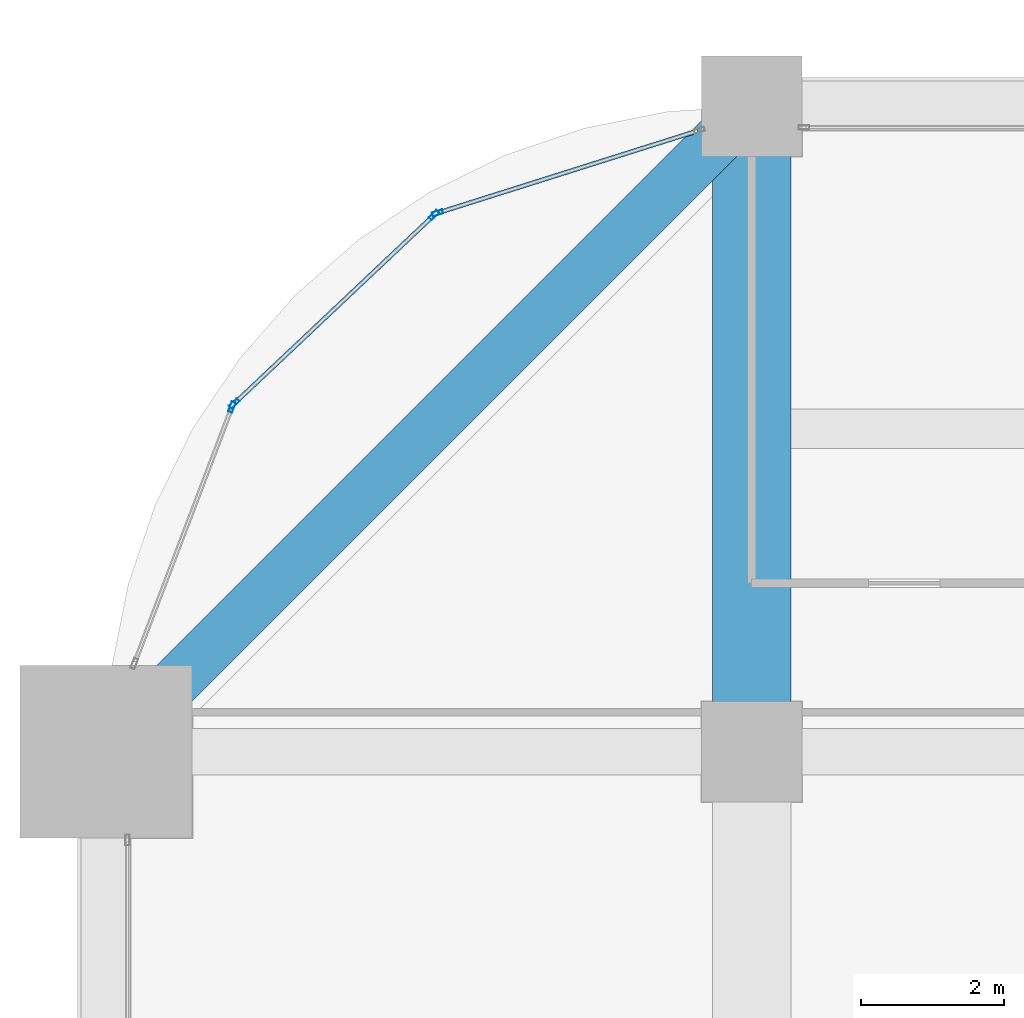
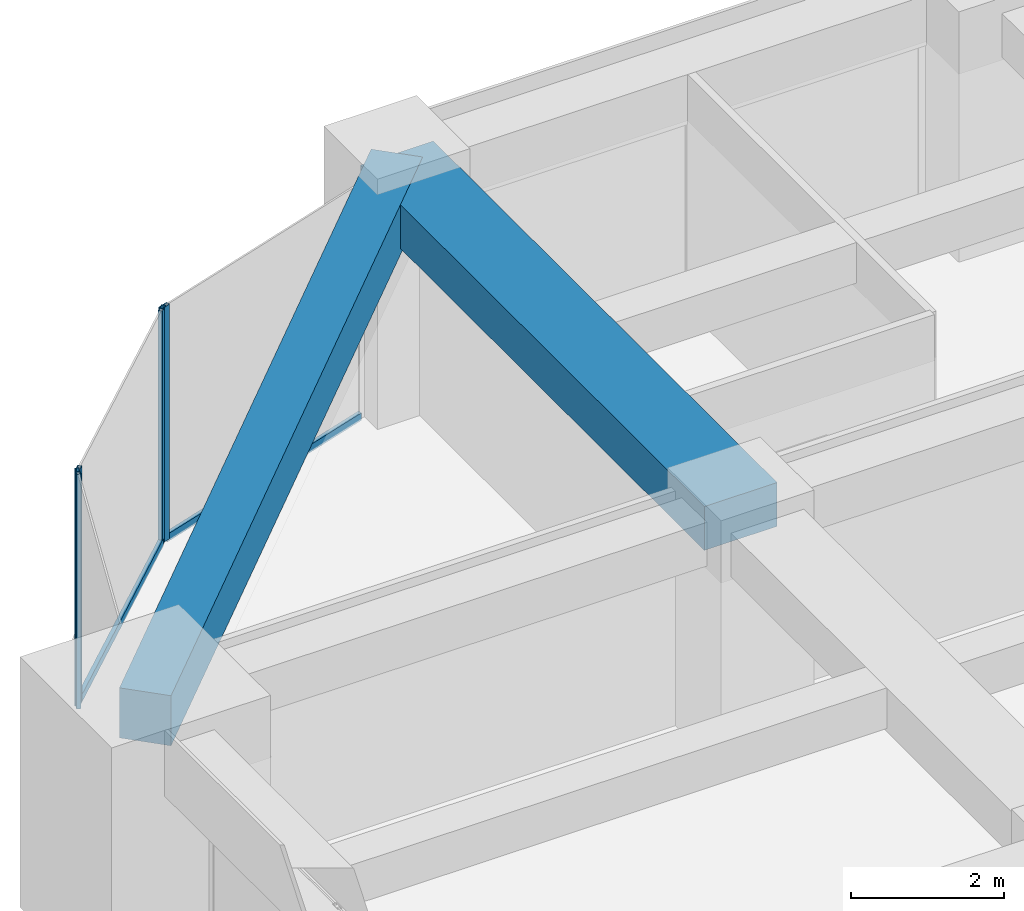
# One storey, part 22 of 32: 6 members, 2 beams, 3 elements without a shape of their own.
"""IFC4 building model written with IfcOpenShell, lengths in metres."""

from ifc_helpers import new_model, si_unit, direction, frame, origin, origin_2d, place, context, subcontext, project, spatial, rectangle, hollow_rectangle, extrude, material, material_profile, profile_set, type_object, element, aggregate, save


model = new_model("IFC4")

# Units and contexts
model_context = context("Model", 3, precision=1e-05, world=origin(), true_north=direction((0.0, 1.0)))
body_context = subcontext(model_context, "Body", "Model", "MODEL_VIEW")
ifc_project = project(units=[si_unit("LENGTHUNIT", "METRE"), si_unit("AREAUNIT", "SQUARE_METRE"), si_unit("VOLUMEUNIT", "CUBIC_METRE"), si_unit("PLANEANGLEUNIT", "RADIAN"), si_unit("MASSUNIT", "GRAM", prefix="KILO")], contexts=[model_context])

# Site, building, storey
site_placement = place(None, origin())
site = spatial("IfcSite", under=ifc_project, at=site_placement, CompositionType="ELEMENT")
building_placement = place(site_placement, origin())
building = spatial("IfcBuilding", under=site, at=building_placement, Name="Zorevar Civic Tower", CompositionType="ELEMENT")
storey_placement = place(building_placement, frame((0.0, 0.0, 198.199951171875)))
storey = spatial("IfcBuildingStorey", under=building, at=storey_placement, Name="L48", CompositionType="ELEMENT", Elevation=198.199951171875)

# Beam
ifc_material_1 = material(Name="Concrete C50/60", Category="concrete")
ifc_material_profile_1 = material_profile(ifc_material_1, rectangle(XDim=1.10009765625, YDim=0.699951171875, at=origin_2d()), Name="RC 1100x700")
ifc_profile_set_1 = profile_set([ifc_material_profile_1], Name="Concrete C50/60")
beam_type_1 = type_object("IfcBeamType", Name="Beam RC 1100x700", PredefinedType="BEAM", material=ifc_profile_set_1)
beam_1_placement = place(storey_placement, frame((9.0, 36.0, 3.400146484375), z_axis=(0.0, 1.0, 0.0), x_axis=(-1.0, 0.0, 0.0)))
element("IfcBeam", 1, at=beam_1_placement, inside=storey, type_object=beam_type_1, Name="Girder L49", PredefinedType="BEAM", context=body_context, shape_type="SweptSolid", body=[
    extrude(rectangle(XDim=1.10009765625, YDim=0.699951171875, at=origin_2d()), origin(), (0.0, 0.0, 1.0), 9.0),
])

# Curtain wall, member
ifc_material_2 = material(Name="Dark grey solar-control glass in black aluminium frame", Category="aluminium")
curtain_wall_type = type_object("IfcCurtainWallType", Name="Curtain wall CW4 high zone", PredefinedType="NOTDEFINED", material=ifc_material_2)
curtain_wall_1_placement = place(storey_placement, origin())
curtain_wall_1 = element("IfcCurtainWall", 2, at=curtain_wall_1_placement, inside=storey, type_object=curtain_wall_type, Name="CW4 L48", PredefinedType="NOTDEFINED")
ifc_material_3 = material(Name="Aluminium, black anodised", Category="aluminium")
ifc_material_profile_2 = material_profile(ifc_material_3, hollow_rectangle(XDim=0.06005859375, YDim=0.14990234375, WallThickness=0.00390625, at=origin_2d()), Name="AL 150x60x4")
ifc_profile_set_2 = profile_set([ifc_material_profile_2], Name="Aluminium, black anodised")
member_type_1 = type_object("IfcMemberType", Name="CW4 mullion AL 150x60x4", PredefinedType="MULLION", material=ifc_profile_set_2)
member_1_placement = place(storey_placement, frame((4.62158203125, 43.51025390625, 0.0), z_axis=(0.0, 0.0, 1.0), x_axis=(0.301108296077, -0.953589950678, 0.0)))
member_1 = element("IfcMember", 3, at=member_1_placement, type_object=member_type_1, Name="CW4 mullion 2", PredefinedType="MULLION", context=body_context, shape_type="SweptSolid", body=[
    extrude(hollow_rectangle(XDim=0.06005859375, YDim=0.14990234375, WallThickness=0.00390625, at=origin_2d()), origin(), (0.0, 0.0, 1.0), 3.75),
])

# Curtain wall, members
curtain_wall_2_placement = place(storey_placement, origin())
curtain_wall_2 = element("IfcCurtainWall", 4, at=curtain_wall_2_placement, inside=storey, type_object=curtain_wall_type, Name="CW4 L48", PredefinedType="NOTDEFINED")
member_2_placement = place(storey_placement, frame((4.5712890625, 43.480712890625, 0.0), z_axis=(0.0, 0.0, 1.0), x_axis=(0.686377907265, -0.727245053898, 0.0)))
member_2 = element("IfcMember", 5, at=member_2_placement, type_object=member_type_1, Name="CW4 mullion 1", PredefinedType="MULLION", context=body_context, shape_type="SweptSolid", body=[
    extrude(hollow_rectangle(XDim=0.06005859375, YDim=0.14990234375, WallThickness=0.00390625, at=origin_2d()), origin(), (0.0, 0.0, 1.0), 3.75),
])
member_3_placement = place(storey_placement, frame((1.787841796875, 40.853759765625, 0.0), z_axis=(0.0, 0.0, 1.0), x_axis=(0.686377907265, -0.727245053898, 0.0)))
member_3 = element("IfcMember", 6, at=member_3_placement, type_object=member_type_1, Name="CW4 mullion 2", PredefinedType="MULLION", context=body_context, shape_type="SweptSolid", body=[
    extrude(hollow_rectangle(XDim=0.06005859375, YDim=0.14990234375, WallThickness=0.00390625, at=origin_2d()), origin(), (0.0, 0.0, 1.0), 3.75),
])

# Curtain wall, member
curtain_wall_3_placement = place(storey_placement, origin())
curtain_wall_3 = element("IfcCurtainWall", 7, at=curtain_wall_3_placement, inside=storey, type_object=curtain_wall_type, Name="CW4 L48", PredefinedType="NOTDEFINED")
member_4_placement = place(storey_placement, frame((1.75537109375, 40.804931640625, 0.0), z_axis=(0.0, 0.0, 1.0), x_axis=(0.93458842801, -0.355730895803, 0.0)))
member_4 = element("IfcMember", 8, at=member_4_placement, type_object=member_type_1, Name="CW4 mullion 1", PredefinedType="MULLION", context=body_context, shape_type="SweptSolid", body=[
    extrude(hollow_rectangle(XDim=0.06005859375, YDim=0.14990234375, WallThickness=0.00390625, at=origin_2d()), origin(), (0.0, 0.0, 1.0), 3.75),
])
aggregate(curtain_wall_3, [member_4])

# Member
ifc_material_4 = material(Name="Aluminium, black anodised", Category="aluminium")
ifc_material_profile_3 = material_profile(ifc_material_4, hollow_rectangle(XDim=0.06005859375, YDim=0.1201171875, WallThickness=0.0029296875, at=origin_2d()), Name="AL 120x60x3")
ifc_profile_set_3 = profile_set([ifc_material_profile_3], Name="Aluminium, black anodised")
member_type_2 = type_object("IfcMemberType", Name="CW4 transom AL 120x60x3", PredefinedType="USERDEFINED", material=ifc_profile_set_3)
member_5_placement = place(storey_placement, frame((8.24267578125, 44.653564453125, 0.030029296875), z_axis=(-0.953592459367, -0.301100351109, 0.0), x_axis=(0.301100351109, -0.953592459367, 0.0)))
member_5 = element("IfcMember", 9, at=member_5_placement, type_object=member_type_2, Name="CW4 sill transom", ObjectType="TRANSOM", PredefinedType="USERDEFINED", context=body_context, shape_type="SweptSolid", body=[
    extrude(hollow_rectangle(XDim=0.06005859375, YDim=0.1201171875, WallThickness=0.0029296875, at=origin_2d()), origin(), (0.0, 0.0, 1.0), 3.76708984375),
])

aggregate(curtain_wall_1, [member_1, member_5])

member_6_placement = place(storey_placement, frame((4.549560546875, 43.4599609375, 0.030029296875), z_axis=(-0.727288059227, -0.686332338526, 0.0), x_axis=(0.686332338526, -0.727288059227, 0.0)))
member_6 = element("IfcMember", 10, at=member_6_placement, type_object=member_type_2, Name="CW4 sill transom", ObjectType="TRANSOM", PredefinedType="USERDEFINED", context=body_context, shape_type="SweptSolid", body=[
    extrude(hollow_rectangle(XDim=0.06005859375, YDim=0.1201171875, WallThickness=0.0029296875, at=origin_2d()), origin(), (0.0, 0.0, 1.0), 3.767333984375),
])

aggregate(curtain_wall_2, [member_2, member_3, member_6])

# Beam
ifc_material_5 = material(Name="Concrete C50/60", Category="concrete")
ifc_material_profile_4 = material_profile(ifc_material_5, rectangle(XDim=0.699951171875, YDim=0.800048828125, at=origin_2d()), Name="RC 700x800")
ifc_profile_set_4 = profile_set([ifc_material_profile_4], Name="Concrete C50/60")
beam_type_2 = type_object("IfcBeamType", Name="Edge beam RC 700x800", PredefinedType="SPANDREL", material=ifc_profile_set_4)
beam_2_placement = place(storey_placement, frame((9.0, 45.0, 3.35009765625), z_axis=(-0.707106781187, -0.707106781187, 0.0), x_axis=(0.707106781187, -0.707106781187, 0.0)))
element("IfcBeam", 11, at=beam_2_placement, inside=storey, type_object=beam_type_2, Name="Corner edge beam L49", PredefinedType="SPANDREL", context=body_context, shape_type="SweptSolid", body=[
    extrude(rectangle(XDim=0.699951171875, YDim=0.800048828125, at=origin_2d()), origin(), (0.0, 0.0, 1.0), 12.72802734375),
])

save(model, "model.ifc")
